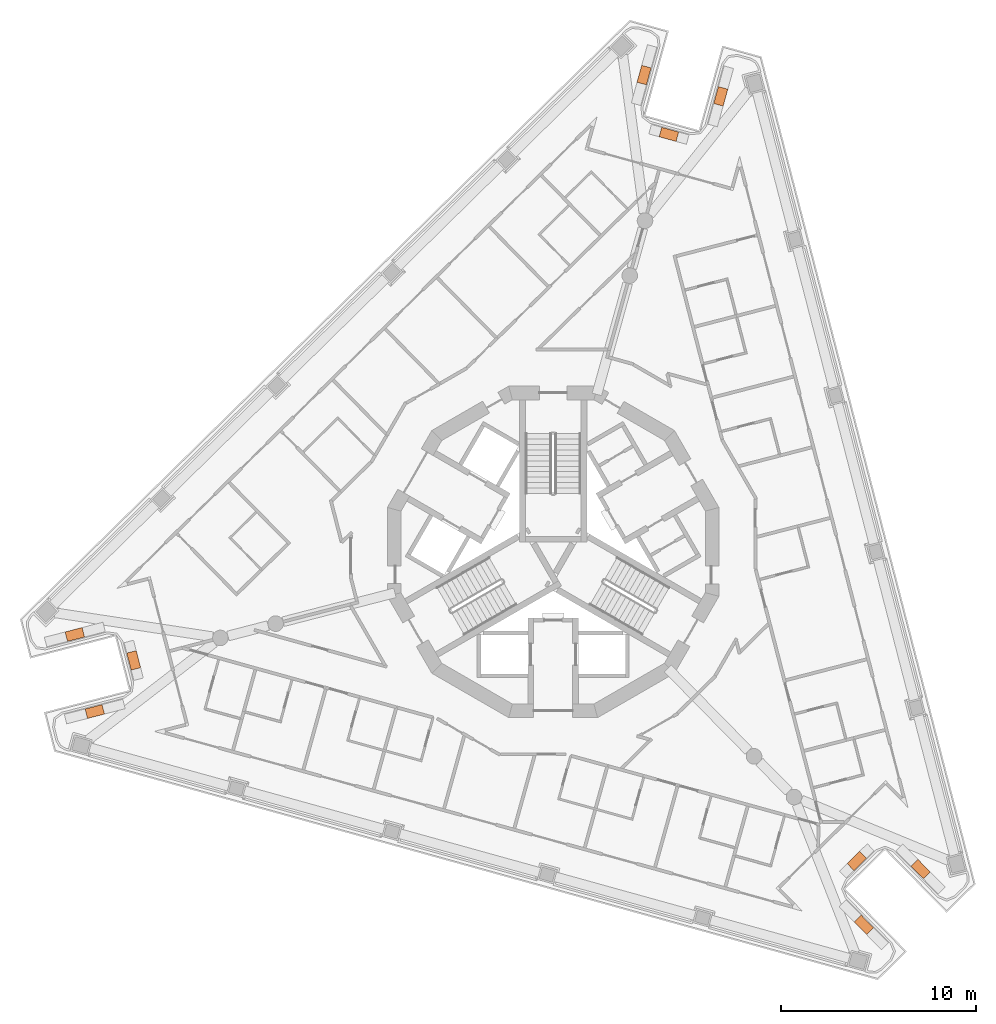
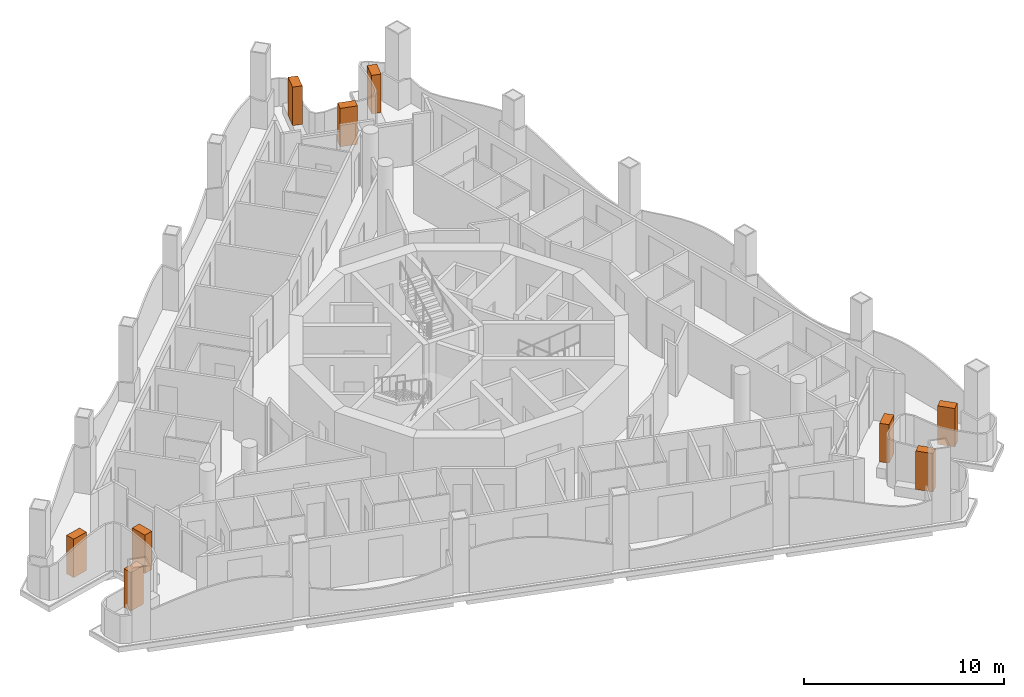
# One storey, part 15 of 15: 9 geographic elements.
"""IFC4 building model written with IfcOpenShell, lengths in metres."""

from ifc_helpers import new_model, si_unit, direction, frame, origin, origin_2d, place, context, subcontext, project, spatial, rectangle, extrude, element, save


model = new_model("IFC4")

# Units and contexts
model_context = context("Model", 3, precision=1e-05, world=origin(), true_north=direction((0.0, 1.0)))
body_context = subcontext(model_context, "Body", "Model", "MODEL_VIEW")
ifc_project = project(units=[si_unit("LENGTHUNIT", "METRE"), si_unit("AREAUNIT", "SQUARE_METRE"), si_unit("VOLUMEUNIT", "CUBIC_METRE"), si_unit("PLANEANGLEUNIT", "RADIAN"), si_unit("MASSUNIT", "GRAM", prefix="KILO")], contexts=[model_context])

# Site, building, storey
site_placement = place(None, origin())
site = spatial("IfcSite", under=ifc_project, at=site_placement, CompositionType="ELEMENT")
building_placement = place(site_placement, origin())
building = spatial("IfcBuilding", under=site, at=building_placement, Name="Trine Commons Tower", CompositionType="ELEMENT")
storey_placement = place(building_placement, frame((0.0, 0.0, 263.699951171875)))
storey = spatial("IfcBuildingStorey", under=building, at=storey_placement, Name="L69", CompositionType="ELEMENT", Elevation=263.699951171875)

# Geographic elements
for number, where, z_axis, x_axis, name in (
    (1, (56.49560546875, 54.314208984375, 0.60009765625), (0.0, 0.0, 1.0), (0.968152010186, 0.250363106652, 0.0), "Tree 1.1"),
    (2, (58.4921875, 56.937744140625, 0.60009765625), (0.0, 0.0, 1.0), (-0.250410419186, 0.968139773981, 0.0), "Tree 2.1"),
    (3, (55.473876953125, 58.264404296875, 0.60009765625), (0.0, 0.0, 1.0), (-0.968152010186, -0.250363106652, 0.0), "Tree 3.1"),
    (4, (84.6630859375, 86.948486328125, 0.60009765625), (0.0, 0.0, 1.0), (-0.26724005793, -0.963629986788, 0.0), "Tree 4.1"),
    (5, (85.936767578125, 83.907470703125, 0.60009765625), (0.0, 0.0, 1.0), (0.963633718069, -0.267226603091, 0.0), "Tree 5.1"),
    (6, (88.5947265625, 85.85791015625, 0.60009765625), (0.0, 0.0, 1.0), (0.26724005793, 0.963629986788, 0.0), "Tree 6.1"),
    (7, (98.84130859375, 46.2373046875, 0.60009765625), (0.0, 0.0, 1.0), (-0.700898060502, 0.713261458923, 0.0), "Tree 7.1"),
    (8, (95.57080078125, 46.65478515625, 0.60009765625), (0.0, 0.0, 1.0), (-0.713239439209, -0.700920467925, 0.0), "Tree 8.1"),
    (9, (95.931396484375, 43.377685546875, 0.60009765625), (0.0, 0.0, 1.0), (0.700898060502, -0.713261458923, 0.0), "Tree 9.1"),
):
    element("IfcGeographicElement", number, at=place(storey_placement, frame(where, z_axis=z_axis, x_axis=x_axis)), inside=storey, Name=name, ObjectType="TREE Tabebuia rosea", PredefinedType="USERDEFINED", context=body_context, shape_type="SweptSolid", body=[
        extrude(rectangle(XDim=0.89990234375, YDim=0.5, at=origin_2d()), origin(), (0.0, 0.0, 1.0), 2.35009765625),
    ])

save(model, "model.ifc")
